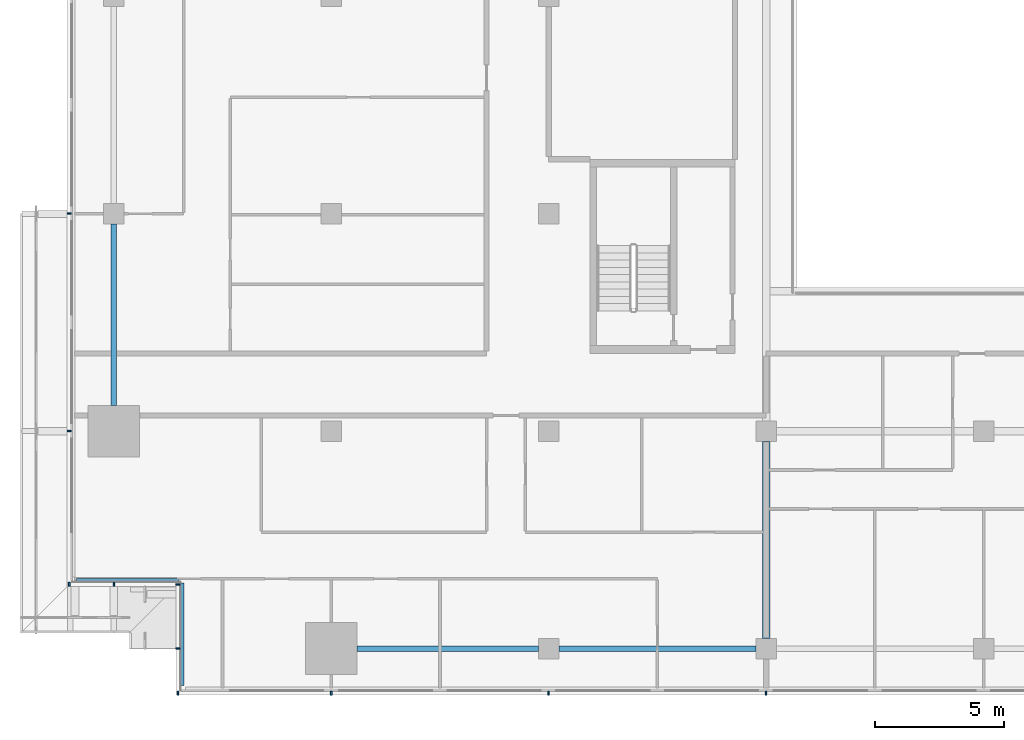
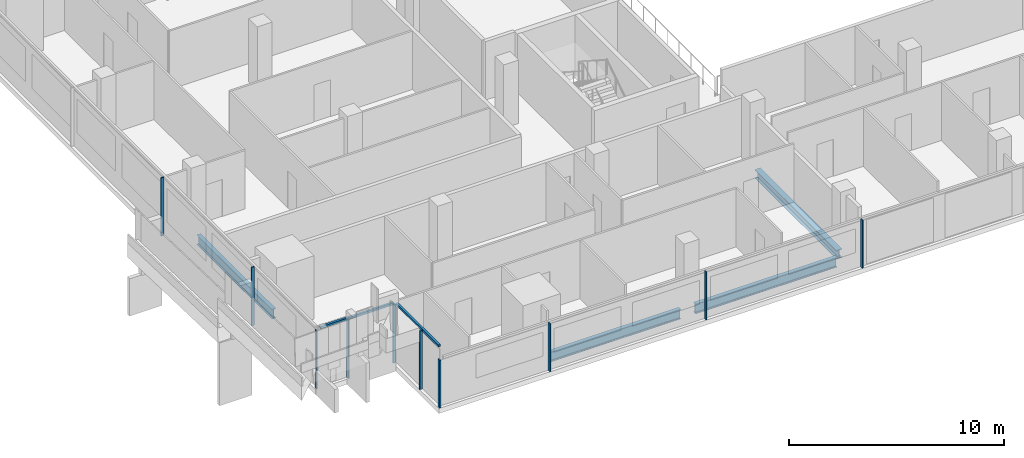
# One storey, part 2 of 27: 12 members, 4 beams, 4 elements without a shape of their own.
"""IFC4 building model written with IfcOpenShell, lengths in metres."""

from ifc_helpers import new_model, si_unit, direction, frame, origin, origin_2d, place, context, subcontext, project, spatial, rectangle, i_section, extrude, material, material_profile, profile_set, type_object, element, aggregate, save


model = new_model("IFC4")

# Units and contexts
model_context = context("Model", 3, precision=1e-05, world=origin(), true_north=direction((0.0, 1.0)))
body_context = subcontext(model_context, "Body", "Model", "MODEL_VIEW")
ifc_project = project(units=[si_unit("LENGTHUNIT", "METRE"), si_unit("AREAUNIT", "SQUARE_METRE"), si_unit("VOLUMEUNIT", "CUBIC_METRE"), si_unit("PLANEANGLEUNIT", "RADIAN"), si_unit("MASSUNIT", "GRAM", prefix="KILO")], contexts=[model_context])

# Site, building, storey
site_placement = place(None, origin())
site = spatial("IfcSite", under=ifc_project, at=site_placement, CompositionType="ELEMENT")
building_placement = place(site_placement, origin())
building = spatial("IfcBuilding", under=site, at=building_placement, Name="Saffron Gate Tower", CompositionType="ELEMENT")
storey_placement = place(building_placement, frame((0.0, 0.0, 134.85009765625)))
storey = spatial("IfcBuildingStorey", under=building, at=storey_placement, Name="L32", CompositionType="ELEMENT", Elevation=134.85009765625)

# Beams
ifc_material_1 = material(Name="Structural steel S355", Category="steel")
ifc_material_profile_1 = material_profile(ifc_material_1, i_section(OverallWidth=0.2099609375, OverallDepth=0.550048828125, WebThickness=0.010986328125, FlangeThickness=0.01708984375, FilletRadius=0.02392578125, at=origin_2d()))
ifc_profile_set_1 = profile_set([ifc_material_profile_1], Name="Structural steel S355")
beam_type_1 = type_object("IfcBeamType", Name="B13 IPE 550", PredefinedType="SPANDREL", material=ifc_profile_set_1)
for number, where, z_axis, x_axis, name in (
    (1, (49.800048828125, 41.199951171875, -0.55517578125), (0.0, 1.0, 0.0), (-1.0, 0.0, 0.0), "B13 SPANDREL BEAM"),
    (2, (59.199951171875, 31.800048828125, -0.55517578125), (1.0, 0.0, 0.0), (0.0, 1.0, 0.0), "B13 SPANDREL BEAM"),
):
    element("IfcBeam", number, at=place(storey_placement, frame(where, z_axis=z_axis, x_axis=x_axis)), inside=storey, type_object=beam_type_1, Name=name, PredefinedType="SPANDREL", context=body_context, shape_type="SweptSolid", body=[
        extrude(i_section(OverallWidth=0.2099609375, OverallDepth=0.550048828125, WebThickness=0.010986328125, FlangeThickness=0.01708984375, FilletRadius=0.02392578125, at=origin_2d()), origin(), (0.0, 0.0, 1.0), 7.0),
    ])
beam_1_placement = place(storey_placement, frame((67.0, 31.800048828125, -0.55517578125), z_axis=(1.0, 0.0, 0.0), x_axis=(0.0, 1.0, 0.0)))
element("IfcBeam", 3, at=beam_1_placement, inside=storey, type_object=beam_type_1, Name="B13 SPANDREL BEAM", PredefinedType="SPANDREL", context=body_context, shape_type="SweptSolid", body=[
    extrude(i_section(OverallWidth=0.2099609375, OverallDepth=0.550048828125, WebThickness=0.010986328125, FlangeThickness=0.01708984375, FilletRadius=0.02392578125, at=origin_2d()), origin(), (0.0, 0.0, 1.0), 7.60009765625),
])
ifc_material_profile_2 = material_profile(ifc_material_1, i_section(OverallWidth=0.300048828125, OverallDepth=0.489990234375, WebThickness=0.011962890625, FlangeThickness=0.02294921875, FilletRadius=0.027099609375, at=origin_2d()))
ifc_profile_set_2 = profile_set([ifc_material_profile_2], Name="Structural steel S355")
beam_type_2 = type_object("IfcBeamType", Name="B8 HEA 500", PredefinedType="BEAM", material=ifc_profile_set_2)
beam_2_placement = place(storey_placement, frame((75.0, 32.199951171875, -0.525146484375), z_axis=(0.0, 1.0, 0.0), x_axis=(-1.0, 0.0, 0.0)))
element("IfcBeam", 4, at=beam_2_placement, inside=storey, type_object=beam_type_2, Name="B8 FLOOR GIRDER", PredefinedType="BEAM", context=body_context, shape_type="SweptSolid", body=[
    extrude(i_section(OverallWidth=0.300048828125, OverallDepth=0.489990234375, WebThickness=0.011962890625, FlangeThickness=0.02294921875, FilletRadius=0.027099609375, at=origin_2d()), origin(), (0.0, 0.0, 1.0), 7.60009765625),
])

# Curtain wall, members
ifc_material_2 = material(Name="Aluminium, bronze anodised", Category="aluminium")
curtain_wall_type_1 = type_object("IfcCurtainWallType", Name="CWS1 curtain wall front facade", PredefinedType="NOTDEFINED", material=ifc_material_2)
curtain_wall_1_placement = place(storey_placement, origin())
curtain_wall_1 = element("IfcCurtainWall", 5, at=curtain_wall_1_placement, inside=storey, type_object=curtain_wall_type_1, Name="CWS1 run 1", PredefinedType="NOTDEFINED")
ifc_material_profile_3 = material_profile(ifc_material_2, rectangle(XDim=0.159912109375, YDim=0.06005859375, at=origin_2d()))
ifc_profile_set_3 = profile_set([ifc_material_profile_3], Name="Aluminium, bronze anodised")
member_type_1 = type_object("IfcMemberType", Name="CWS1 mullion 60x160", PredefinedType="MULLION", material=ifc_profile_set_3)
member_1_placement = place(storey_placement, frame((52.280029296875, 30.080078125, 0.0), z_axis=(0.0, 0.0, 1.0), x_axis=(0.0, 1.0, 0.0)))
member_1 = element("IfcMember", 6, at=member_1_placement, type_object=member_type_1, Name="CWS1 mullion 1", PredefinedType="MULLION", context=body_context, shape_type="SweptSolid", body=[
    extrude(rectangle(XDim=0.159912109375, YDim=0.06005859375, at=origin_2d()), origin(), (0.0, 0.0, 1.0), 2.719970703125),
])
member_2_placement = place(storey_placement, frame((58.199951171875, 30.080078125, 0.0), z_axis=(0.0, 0.0, 1.0), x_axis=(0.0, 1.0, 0.0)))
member_2 = element("IfcMember", 7, at=member_2_placement, type_object=member_type_1, Name="CWS1 mullion 2", PredefinedType="MULLION", context=body_context, shape_type="SweptSolid", body=[
    extrude(rectangle(XDim=0.159912109375, YDim=0.06005859375, at=origin_2d()), origin(), (0.0, 0.0, 1.0), 2.719970703125),
])
member_3_placement = place(storey_placement, frame((66.60009765625, 30.080078125, 0.0), z_axis=(0.0, 0.0, 1.0), x_axis=(0.0, 1.0, 0.0)))
member_3 = element("IfcMember", 8, at=member_3_placement, type_object=member_type_1, Name="CWS1 mullion 3", PredefinedType="MULLION", context=body_context, shape_type="SweptSolid", body=[
    extrude(rectangle(XDim=0.159912109375, YDim=0.06005859375, at=origin_2d()), origin(), (0.0, 0.0, 1.0), 2.719970703125),
])
member_4_placement = place(storey_placement, frame((75.0, 30.080078125, 0.0), z_axis=(0.0, 0.0, 1.0), x_axis=(0.0, 1.0, 0.0)))
member_4 = element("IfcMember", 9, at=member_4_placement, type_object=member_type_1, Name="CWS1 mullion 4", PredefinedType="MULLION", context=body_context, shape_type="SweptSolid", body=[
    extrude(rectangle(XDim=0.159912109375, YDim=0.06005859375, at=origin_2d()), origin(), (0.0, 0.0, 1.0), 2.719970703125),
])
aggregate(curtain_wall_1, [member_1, member_2, member_3, member_4])

curtain_wall_type_2 = type_object("IfcCurtainWallType", Name="CWS2 curtain wall side facades", PredefinedType="NOTDEFINED", material=ifc_material_2)
curtain_wall_2_placement = place(storey_placement, origin())
curtain_wall_2 = element("IfcCurtainWall", 10, at=curtain_wall_2_placement, inside=storey, type_object=curtain_wall_type_2, Name="CWS2 run 10", PredefinedType="NOTDEFINED")
ifc_material_profile_4 = material_profile(ifc_material_2, rectangle(XDim=0.159912109375, YDim=0.06005859375, at=origin_2d()))
ifc_profile_set_4 = profile_set([ifc_material_profile_4], Name="Aluminium, bronze anodised")
member_type_2 = type_object("IfcMemberType", Name="CWS2 mullion 60x160", PredefinedType="MULLION", material=ifc_profile_set_4)
member_5_placement = place(storey_placement, frame((48.080078125, 48.60009765625, 0.0), z_axis=(0.0, 0.0, 1.0), x_axis=(1.0, 0.0, 0.0)))
member_5 = element("IfcMember", 11, at=member_5_placement, type_object=member_type_2, Name="CWS2 mullion 4", PredefinedType="MULLION", context=body_context, shape_type="SweptSolid", body=[
    extrude(rectangle(XDim=0.159912109375, YDim=0.06005859375, at=origin_2d()), origin(), (0.0, 0.0, 1.0), 3.31982421875),
])
member_6_placement = place(storey_placement, frame((48.080078125, 40.199951171875, 0.0), z_axis=(0.0, 0.0, 1.0), x_axis=(1.0, 0.0, 0.0)))
member_6 = element("IfcMember", 12, at=member_6_placement, type_object=member_type_2, Name="CWS2 mullion 5", PredefinedType="MULLION", context=body_context, shape_type="SweptSolid", body=[
    extrude(rectangle(XDim=0.159912109375, YDim=0.06005859375, at=origin_2d()), origin(), (0.0, 0.0, 1.0), 3.31982421875),
])
aggregate(curtain_wall_2, [member_5, member_6])

# Curtain wall, member
curtain_wall_type_3 = type_object("IfcCurtainWallType", Name="CWS4 curtain wall corner returns", PredefinedType="NOTDEFINED", material=ifc_material_2)
curtain_wall_3_placement = place(storey_placement, origin())
curtain_wall_3 = element("IfcCurtainWall", 13, at=curtain_wall_3_placement, inside=storey, type_object=curtain_wall_type_3, Name="CWS4 run 11", PredefinedType="NOTDEFINED")
ifc_material_profile_5 = material_profile(ifc_material_2, rectangle(XDim=0.1201171875, YDim=0.1201171875, at=origin_2d()))
ifc_profile_set_5 = profile_set([ifc_material_profile_5], Name="Aluminium, bronze anodised")
member_type_3 = type_object("IfcMemberType", Name="CWS4 head transom", PredefinedType="USERDEFINED", material=ifc_profile_set_5)
member_7_placement = place(storey_placement, frame((48.367919921875, 34.447998046875, 3.260009765625), z_axis=(1.0, 0.0, 0.0), x_axis=(0.0, 1.0, 0.0)))
member_7 = element("IfcMember", 14, at=member_7_placement, type_object=member_type_3, Name="CWS4 head transom", ObjectType="TRANSOM", PredefinedType="USERDEFINED", context=body_context, shape_type="SweptSolid", body=[
    extrude(rectangle(XDim=0.1201171875, YDim=0.1201171875, at=origin_2d()), origin(), (0.0, 0.0, 1.0), 3.9599609375),
])

curtain_wall_4_placement = place(storey_placement, origin())
curtain_wall_4 = element("IfcCurtainWall", 15, at=curtain_wall_4_placement, inside=storey, type_object=curtain_wall_type_3, Name="CWS4 run 12", PredefinedType="NOTDEFINED")
member_8_placement = place(storey_placement, frame((52.447998046875, 34.327880859375, 3.260009765625), z_axis=(0.0, -1.0, 0.0), x_axis=(1.0, 0.0, 0.0)))
member_8 = element("IfcMember", 16, at=member_8_placement, type_object=member_type_3, Name="CWS4 head transom", ObjectType="TRANSOM", PredefinedType="USERDEFINED", context=body_context, shape_type="SweptSolid", body=[
    extrude(rectangle(XDim=0.1201171875, YDim=0.1201171875, at=origin_2d()), origin(), (0.0, 0.0, 1.0), 3.9599609375),
])

# Member
ifc_material_profile_6 = material_profile(ifc_material_2, rectangle(XDim=0.159912109375, YDim=0.06005859375, at=origin_2d()))
ifc_profile_set_6 = profile_set([ifc_material_profile_6], Name="Aluminium, bronze anodised")
member_type_4 = type_object("IfcMemberType", Name="CWS4 mullion 60x160", PredefinedType="MULLION", material=ifc_profile_set_6)
member_9_placement = place(storey_placement, frame((48.080078125, 34.280029296875, 0.0), z_axis=(0.0, 0.0, 1.0), x_axis=(0.0, 1.0, 0.0)))
member_9 = element("IfcMember", 17, at=member_9_placement, type_object=member_type_4, Name="CWS4 mullion 1", PredefinedType="MULLION", context=body_context, shape_type="SweptSolid", body=[
    extrude(rectangle(XDim=0.159912109375, YDim=0.06005859375, at=origin_2d()), origin(), (0.0, 0.0, 1.0), 3.31982421875),
])

member_10_placement = place(storey_placement, frame((49.800048828125, 34.280029296875, 0.0), z_axis=(0.0, 0.0, 1.0), x_axis=(0.0, 1.0, 0.0)))
member_10 = element("IfcMember", 18, at=member_10_placement, type_object=member_type_4, Name="CWS4 mullion 2", PredefinedType="MULLION", context=body_context, shape_type="SweptSolid", body=[
    extrude(rectangle(XDim=0.159912109375, YDim=0.06005859375, at=origin_2d()), origin(), (0.0, 0.0, 1.0), 3.31982421875),
])

aggregate(curtain_wall_3, [member_9, member_10, member_7])

member_11_placement = place(storey_placement, frame((52.280029296875, 34.280029296875, 0.0), z_axis=(0.0, 0.0, 1.0), x_axis=(1.0, 0.0, 0.0)))
member_11 = element("IfcMember", 19, at=member_11_placement, type_object=member_type_4, Name="CWS4 mullion 1", PredefinedType="MULLION", context=body_context, shape_type="SweptSolid", body=[
    extrude(rectangle(XDim=0.159912109375, YDim=0.06005859375, at=origin_2d()), origin(), (0.0, 0.0, 1.0), 3.31982421875),
])

member_12_placement = place(storey_placement, frame((52.280029296875, 31.800048828125, 0.0), z_axis=(0.0, 0.0, 1.0), x_axis=(1.0, 0.0, 0.0)))
member_12 = element("IfcMember", 20, at=member_12_placement, type_object=member_type_4, Name="CWS4 mullion 2", PredefinedType="MULLION", context=body_context, shape_type="SweptSolid", body=[
    extrude(rectangle(XDim=0.159912109375, YDim=0.06005859375, at=origin_2d()), origin(), (0.0, 0.0, 1.0), 3.31982421875),
])

aggregate(curtain_wall_4, [member_11, member_12, member_8])

save(model, "model.ifc")
